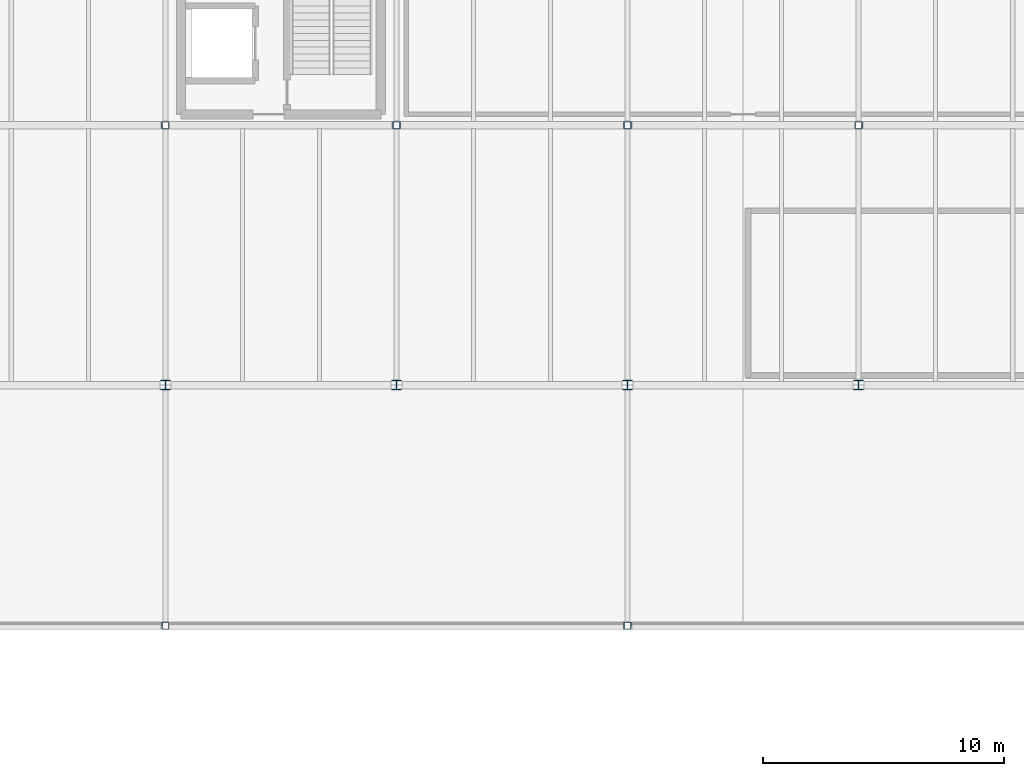
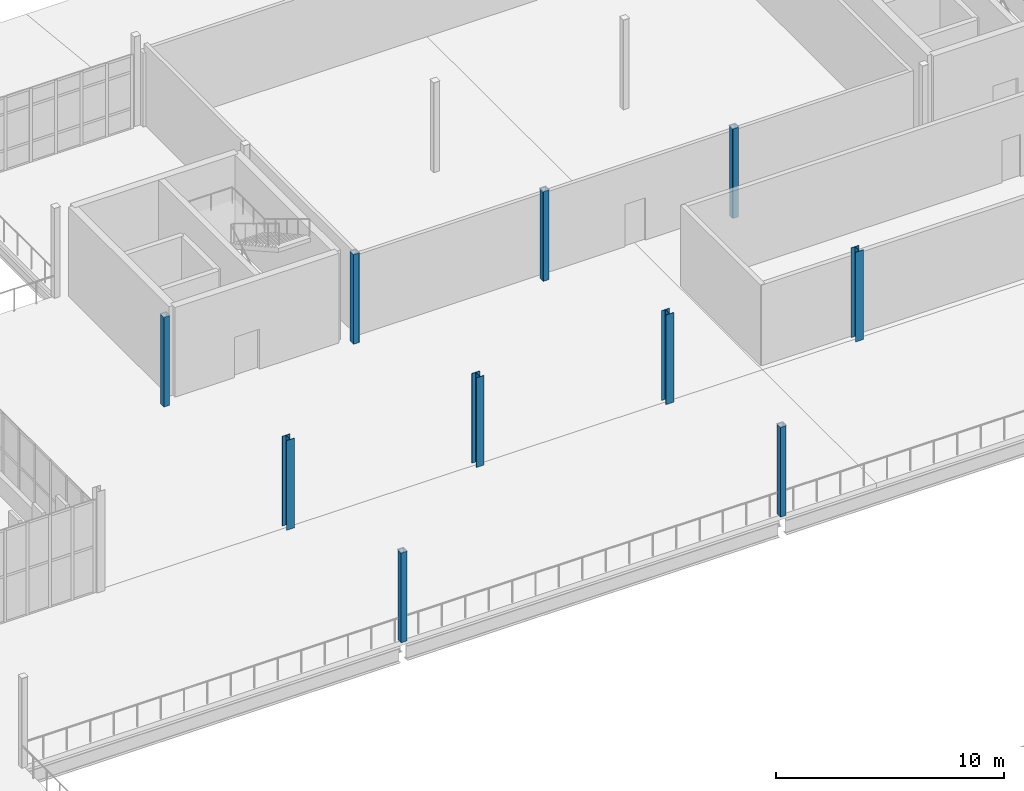
# One storey, part 9 of 112: 10 columns.
"""IFC4 building model written with IfcOpenShell, lengths in metres."""

from ifc_helpers import new_model, si_unit, direction, frame, origin, origin_2d, place, context, subcontext, project, spatial, hollow_rectangle, i_section, extrude, material, material_profile, profile_set, type_object, element, save


model = new_model("IFC4")

# Units and contexts
model_context = context("Model", 3, precision=1e-05, world=origin(), true_north=direction((0.0, 1.0)))
body_context = subcontext(model_context, "Body", "Model", "MODEL_VIEW")
ifc_project = project(units=[si_unit("LENGTHUNIT", "METRE"), si_unit("AREAUNIT", "SQUARE_METRE"), si_unit("VOLUMEUNIT", "CUBIC_METRE"), si_unit("PLANEANGLEUNIT", "RADIAN"), si_unit("MASSUNIT", "GRAM", prefix="KILO")], contexts=[model_context])

# Site, building, storey
site_placement = place(None, origin())
site = spatial("IfcSite", under=ifc_project, at=site_placement, CompositionType="ELEMENT")
building_placement = place(site_placement, origin())
building = spatial("IfcBuilding", under=site, at=building_placement, Name="Yeouljin Market Hall", CompositionType="ELEMENT")
storey_placement = place(building_placement, frame((0.0, 0.0, 6.0)))
storey = spatial("IfcBuildingStorey", under=building, at=storey_placement, Name="L01", CompositionType="ELEMENT", Elevation=6.0)

# Columns
ifc_material_1 = material(Name="Steel SM355", Category="steel")
ifc_material_profile_1 = material_profile(ifc_material_1, i_section(OverallWidth=0.39990234375, OverallDepth=0.39990234375, WebThickness=0.012939453125, FlangeThickness=0.02099609375, FilletRadius=0.02197265625, at=origin_2d()), Name="H-400x400x13x21")
ifc_profile_set_1 = profile_set([ifc_material_profile_1], Name="Steel SM355")
column_type_1 = type_object("IfcColumnType", Name="Col_H-400x400x13x21", PredefinedType="COLUMN", material=ifc_profile_set_1)
for number, where, z_axis, x_axis, name in (
    (1, (64.199951171875, 78.0, 0.0), (0.0, 0.0, 1.0), (1.0, 0.0, 0.0), "Column G-08-08 (L01)"),
    (2, (73.800048828125, 78.0, 0.0), (0.0, 0.0, 1.0), (1.0, 0.0, 0.0), "Column G-09-08 (L01)"),
    (3, (83.39990234375, 78.0, 0.0), (0.0, 0.0, 1.0), (1.0, 0.0, 0.0), "Column G-10-08 (L01)"),
    (4, (93.0, 78.0, 0.0), (0.0, 0.0, 1.0), (1.0, 0.0, 0.0), "Column G-11-08 (L01)"),
):
    element("IfcColumn", number, at=place(storey_placement, frame(where, z_axis=z_axis, x_axis=x_axis)), inside=storey, type_object=column_type_1, Name=name, PredefinedType="COLUMN", context=body_context, shape_type="SweptSolid", body=[
        extrude(i_section(OverallWidth=0.39990234375, OverallDepth=0.39990234375, WebThickness=0.012939453125, FlangeThickness=0.02099609375, FilletRadius=0.02197265625, at=origin_2d()), origin(), (0.0, 0.0, 1.0), 4.800048828125),
    ])
ifc_material_2 = material(Name="Steel SM355", Category="steel")
ifc_material_profile_2 = material_profile(ifc_material_2, hollow_rectangle(XDim=0.300048828125, YDim=0.300048828125, WallThickness=0.010009765625, InnerFilletRadius=0.010009765625, OuterFilletRadius=0.01611328125, at=origin_2d()), Name="SHS-300x300x10")
ifc_profile_set_2 = profile_set([ifc_material_profile_2], Name="Steel SM355")
column_type_2 = type_object("IfcColumnType", Name="Col_SHS-300x300x10", PredefinedType="COLUMN", material=ifc_profile_set_2)
for number, where, z_axis, x_axis, name in (
    (5, (64.199951171875, 68.0, 0.0), (0.0, 0.0, 1.0), (1.0, 0.0, 0.0), "Column G-08-07 (L01)"),
    (6, (64.199951171875, 88.800048828125, 0.0), (0.0, 0.0, 1.0), (1.0, 0.0, 0.0), "Column G-08-09 (L01)"),
    (7, (73.800048828125, 88.800048828125, 0.0), (0.0, 0.0, 1.0), (1.0, 0.0, 0.0), "Column G-09-09 (L01)"),
    (8, (83.39990234375, 68.0, 0.0), (0.0, 0.0, 1.0), (1.0, 0.0, 0.0), "Column G-10-07 (L01)"),
    (9, (83.39990234375, 88.800048828125, 0.0), (0.0, 0.0, 1.0), (1.0, 0.0, 0.0), "Column G-10-09 (L01)"),
    (10, (93.0, 88.800048828125, 0.0), (0.0, 0.0, 1.0), (1.0, 0.0, 0.0), "Column G-11-09 (L01)"),
):
    element("IfcColumn", number, at=place(storey_placement, frame(where, z_axis=z_axis, x_axis=x_axis)), inside=storey, type_object=column_type_2, Name=name, PredefinedType="COLUMN", context=body_context, shape_type="SweptSolid", body=[
        extrude(hollow_rectangle(XDim=0.300048828125, YDim=0.300048828125, WallThickness=0.010009765625, InnerFilletRadius=0.010009765625, OuterFilletRadius=0.01611328125, at=origin_2d()), origin(), (0.0, 0.0, 1.0), 4.800048828125),
    ])

save(model, "model.ifc")
